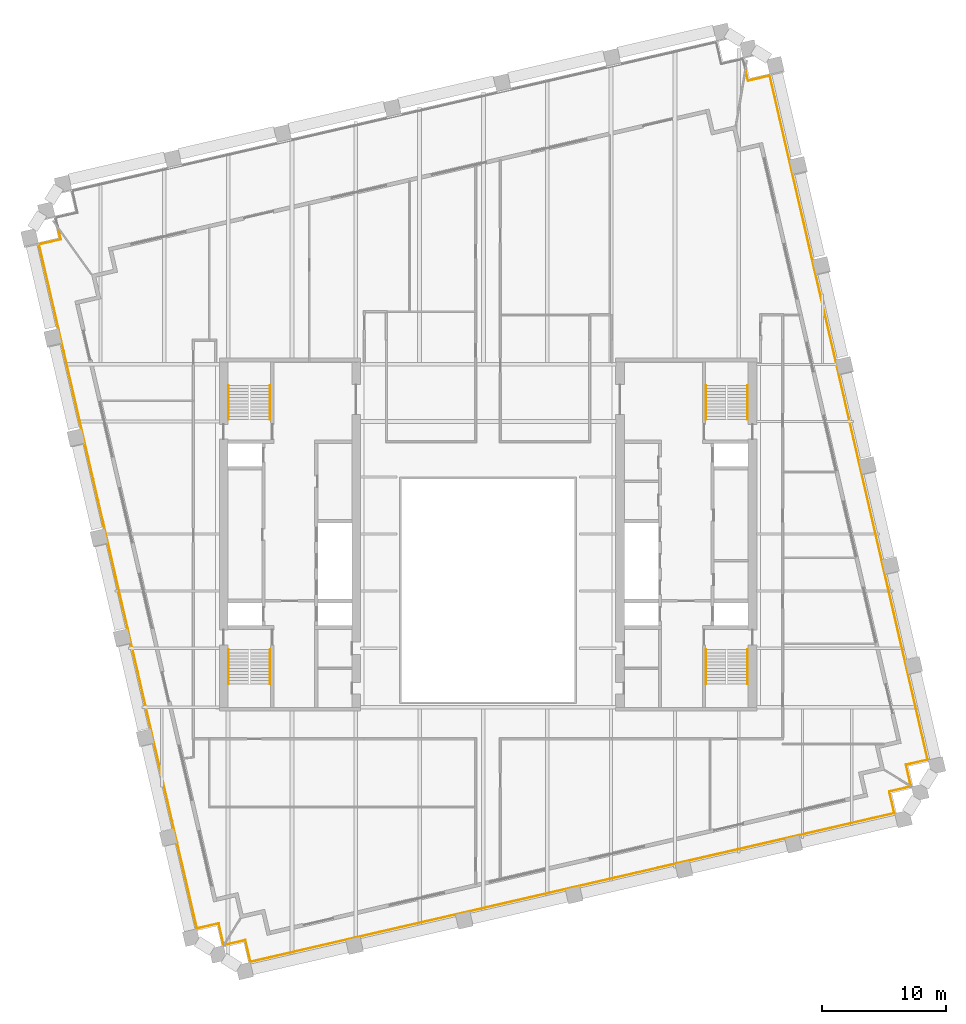
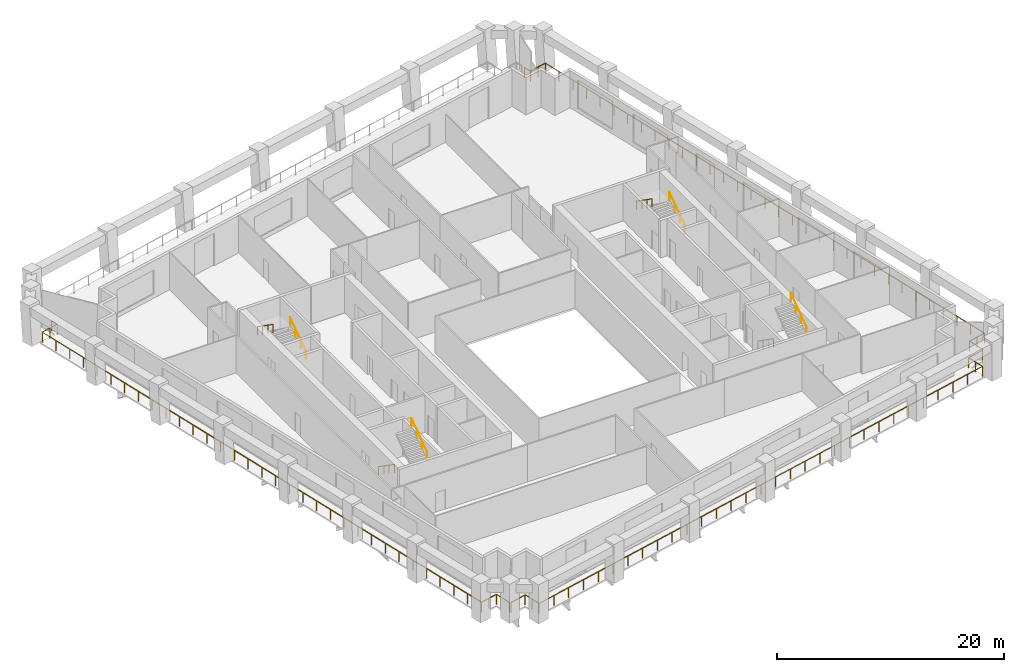
# One storey, part 9 of 10: 11 railings.
"""IFC4 building model written with IfcOpenShell, lengths in metres."""

from ifc_helpers import new_model, si_unit, direction, frame, origin, origin_2d, place, context, subcontext, project, spatial, circle, extrude, material, type_object, element, save


model = new_model("IFC4")

# Units and contexts
model_context = context("Model", 3, precision=1e-05, world=origin(), true_north=direction((0.0, 1.0)))
body_context = subcontext(model_context, "Body", "Model", "MODEL_VIEW")
ifc_project = project(units=[si_unit("LENGTHUNIT", "METRE"), si_unit("AREAUNIT", "SQUARE_METRE"), si_unit("VOLUMEUNIT", "CUBIC_METRE"), si_unit("PLANEANGLEUNIT", "RADIAN"), si_unit("MASSUNIT", "GRAM", prefix="KILO")], contexts=[model_context])

# Site, building, storey
site_placement = place(None, origin())
site = spatial("IfcSite", under=ifc_project, at=site_placement, CompositionType="ELEMENT")
building_placement = place(site_placement, origin())
building = spatial("IfcBuilding", under=site, at=building_placement, Name="Ogive Exchange Tower", CompositionType="ELEMENT")
storey_placement = place(building_placement, frame((0.0, 0.0, 205.199951171875)))
storey = spatial("IfcBuildingStorey", under=building, at=storey_placement, Name="L45", CompositionType="ELEMENT", Elevation=205.199951171875)

# Railings
ifc_material_1 = material(Name="Stainless steel 316", Category="steel")
railing_type_1 = type_object("IfcRailingType", Name="Guard 1100 stainless steel and glass", PredefinedType="GUARDRAIL", material=ifc_material_1)
railing_1_placement = place(storey_placement, frame((34.067138671875, -8.864013671875, -0.050048828125)))
element("IfcRailing", 1, at=railing_1_placement, inside=storey, type_object=railing_type_1, Name="Loggia guard 1", PredefinedType="GUARDRAIL", context=body_context, shape_type="SweptSolid", body=[
    extrude(circle(Radius=0.02392578125, at=origin_2d()), frame((0.0, 0.0, 1.076171875), z_axis=(-0.974364690374, -0.224974332206, 0.0), x_axis=(0.224974332206, -0.974364690374, 0.0)), (0.0, 0.0, 1.0), 1.7080078125),
    extrude(circle(Radius=0.02392578125, at=origin_2d()), frame((-1.664306640625, -0.38427734375, 1.076171875), z_axis=(0.224879318197, -0.974386623598, 0.0), x_axis=(0.974386623598, 0.224879318197, 0.0)), (0.0, 0.0, 1.0), 1.800048828125),
    extrude(circle(Radius=0.02392578125, at=origin_2d()), frame((-1.259521484375, -2.13818359375, 1.076171875), z_axis=(-0.97436998541, -0.224951398156, 0.0), x_axis=(0.224951398156, -0.97436998541, 0.0)), (0.0, 0.0, 1.0), 53.360107421875),
    extrude(circle(Radius=0.02392578125, at=origin_2d()), frame((-53.251953125, -14.1416015625, 1.076171875), z_axis=(-0.224879318197, 0.974386623598, 0.0), x_axis=(-0.974386623598, -0.224879318197, 0.0)), (0.0, 0.0, 1.0), 1.800048828125),
    extrude(circle(Radius=0.02392578125, at=origin_2d()), frame((-53.65673828125, -12.3876953125, 1.076171875), z_axis=(-0.974364690374, -0.224974332206, 0.0), x_axis=(0.224974332206, -0.974364690374, 0.0)), (0.0, 0.0, 1.0), 1.7080078125),
    extrude(circle(Radius=0.02099609375, at=origin_2d()), origin(), (0.0, 0.0, 1.0), 1.052001953125),
    extrude(circle(Radius=0.02099609375, at=origin_2d()), frame((-1.664306640625, -0.38427734375, 0.0)), (0.0, 0.0, 1.0), 1.052001953125),
    extrude(circle(Radius=0.02099609375, at=origin_2d()), frame((-1.4619140625, -1.26123046875, 0.0)), (0.0, 0.0, 1.0), 1.052001953125),
    extrude(circle(Radius=0.02099609375, at=origin_2d()), frame((-1.259521484375, -2.13818359375, 0.0)), (0.0, 0.0, 1.0), 1.052001953125),
    extrude(circle(Radius=0.02099609375, at=origin_2d()), frame((-2.99267578125, -2.538330078125, 0.0)), (0.0, 0.0, 1.0), 1.052001953125),
    extrude(circle(Radius=0.02099609375, at=origin_2d()), frame((-4.7255859375, -2.9384765625, 0.0)), (0.0, 0.0, 1.0), 1.052001953125),
    extrude(circle(Radius=0.02099609375, at=origin_2d()), frame((-6.458740234375, -3.338623046875, 0.0)), (0.0, 0.0, 1.0), 1.052001953125),
    extrude(circle(Radius=0.02099609375, at=origin_2d()), frame((-8.19189453125, -3.738525390625, 0.0)), (0.0, 0.0, 1.0), 1.052001953125),
    extrude(circle(Radius=0.02099609375, at=origin_2d()), frame((-9.9248046875, -4.138671875, 0.0)), (0.0, 0.0, 1.0), 1.052001953125),
    extrude(circle(Radius=0.02099609375, at=origin_2d()), frame((-11.657958984375, -4.538818359375, 0.0)), (0.0, 0.0, 1.0), 1.052001953125),
    extrude(circle(Radius=0.02099609375, at=origin_2d()), frame((-13.39111328125, -4.93896484375, 0.0)), (0.0, 0.0, 1.0), 1.052001953125),
    extrude(circle(Radius=0.02099609375, at=origin_2d()), frame((-15.124267578125, -5.339111328125, 0.0)), (0.0, 0.0, 1.0), 1.052001953125),
    extrude(circle(Radius=0.02099609375, at=origin_2d()), frame((-16.857177734375, -5.7392578125, 0.0)), (0.0, 0.0, 1.0), 1.052001953125),
    extrude(circle(Radius=0.02099609375, at=origin_2d()), frame((-18.59033203125, -6.139404296875, 0.0)), (0.0, 0.0, 1.0), 1.052001953125),
    extrude(circle(Radius=0.02099609375, at=origin_2d()), frame((-20.323486328125, -6.53955078125, 0.0)), (0.0, 0.0, 1.0), 1.052001953125),
    extrude(circle(Radius=0.02099609375, at=origin_2d()), frame((-22.056396484375, -6.939453125, 0.0)), (0.0, 0.0, 1.0), 1.052001953125),
    extrude(circle(Radius=0.02099609375, at=origin_2d()), frame((-23.78955078125, -7.339599609375, 0.0)), (0.0, 0.0, 1.0), 1.052001953125),
    extrude(circle(Radius=0.02099609375, at=origin_2d()), frame((-25.522705078125, -7.73974609375, 0.0)), (0.0, 0.0, 1.0), 1.052001953125),
    extrude(circle(Radius=0.02099609375, at=origin_2d()), frame((-27.255859375, -8.139892578125, 0.0)), (0.0, 0.0, 1.0), 1.052001953125),
    extrude(circle(Radius=0.02099609375, at=origin_2d()), frame((-28.98876953125, -8.5400390625, 0.0)), (0.0, 0.0, 1.0), 1.052001953125),
    extrude(circle(Radius=0.02099609375, at=origin_2d()), frame((-30.721923828125, -8.940185546875, 0.0)), (0.0, 0.0, 1.0), 1.052001953125),
    extrude(circle(Radius=0.02099609375, at=origin_2d()), frame((-32.455078125, -9.34033203125, 0.0)), (0.0, 0.0, 1.0), 1.052001953125),
    extrude(circle(Radius=0.02099609375, at=origin_2d()), frame((-34.18798828125, -9.740234375, 0.0)), (0.0, 0.0, 1.0), 1.052001953125),
    extrude(circle(Radius=0.02099609375, at=origin_2d()), frame((-35.921142578125, -10.140380859375, 0.0)), (0.0, 0.0, 1.0), 1.052001953125),
    extrude(circle(Radius=0.02099609375, at=origin_2d()), frame((-37.654296875, -10.54052734375, 0.0)), (0.0, 0.0, 1.0), 1.052001953125),
    extrude(circle(Radius=0.02099609375, at=origin_2d()), frame((-39.38720703125, -10.940673828125, 0.0)), (0.0, 0.0, 1.0), 1.052001953125),
    extrude(circle(Radius=0.02099609375, at=origin_2d()), frame((-41.120361328125, -11.3408203125, 0.0)), (0.0, 0.0, 1.0), 1.052001953125),
    extrude(circle(Radius=0.02099609375, at=origin_2d()), frame((-42.853515625, -11.740966796875, 0.0)), (0.0, 0.0, 1.0), 1.052001953125),
    extrude(circle(Radius=0.02099609375, at=origin_2d()), frame((-44.58642578125, -12.14111328125, 0.0)), (0.0, 0.0, 1.0), 1.052001953125),
    extrude(circle(Radius=0.02099609375, at=origin_2d()), frame((-46.319580078125, -12.541259765625, 0.0)), (0.0, 0.0, 1.0), 1.052001953125),
    extrude(circle(Radius=0.02099609375, at=origin_2d()), frame((-48.052734375, -12.941162109375, 0.0)), (0.0, 0.0, 1.0), 1.052001953125),
    extrude(circle(Radius=0.02099609375, at=origin_2d()), frame((-49.785888671875, -13.34130859375, 0.0)), (0.0, 0.0, 1.0), 1.052001953125),
    extrude(circle(Radius=0.02099609375, at=origin_2d()), frame((-51.518798828125, -13.741455078125, 0.0)), (0.0, 0.0, 1.0), 1.052001953125),
    extrude(circle(Radius=0.02099609375, at=origin_2d()), frame((-53.251953125, -14.1416015625, 0.0)), (0.0, 0.0, 1.0), 1.052001953125),
    extrude(circle(Radius=0.02099609375, at=origin_2d()), frame((-53.454345703125, -13.2646484375, 0.0)), (0.0, 0.0, 1.0), 1.052001953125),
    extrude(circle(Radius=0.02099609375, at=origin_2d()), frame((-53.65673828125, -12.3876953125, 0.0)), (0.0, 0.0, 1.0), 1.052001953125),
    extrude(circle(Radius=0.02099609375, at=origin_2d()), frame((-55.321044921875, -12.77197265625, 0.0)), (0.0, 0.0, 1.0), 1.052001953125),
])
railing_2_placement = place(storey_placement, frame((-21.364013671875, -21.567138671875, -0.050048828125)))
element("IfcRailing", 2, at=railing_2_placement, inside=storey, type_object=railing_type_1, Name="Loggia guard 2", PredefinedType="GUARDRAIL", context=body_context, shape_type="SweptSolid", body=[
    extrude(circle(Radius=0.02392578125, at=origin_2d()), frame((0.0, 0.0, 1.076171875), z_axis=(-0.224974332206, 0.974364690374, 0.0), x_axis=(-0.974364690374, -0.224974332206, 0.0)), (0.0, 0.0, 1.0), 1.7080078125),
    extrude(circle(Radius=0.02392578125, at=origin_2d()), frame((-0.38427734375, 1.664306640625, 1.076171875), z_axis=(-0.974386623598, -0.224879318197, 0.0), x_axis=(0.224879318197, -0.974386623598, 0.0)), (0.0, 0.0, 1.0), 1.800048828125),
    extrude(circle(Radius=0.02392578125, at=origin_2d()), frame((-2.13818359375, 1.259521484375, 1.076171875), z_axis=(-0.224951665918, 0.974369923592, 0.0), x_axis=(-0.974369923592, -0.224951665918, 0.0)), (0.0, 0.0, 1.0), 56.6875),
    extrude(circle(Radius=0.02392578125, at=origin_2d()), frame((-14.89013671875, 56.494140625, 1.076171875), z_axis=(0.974356896201, 0.225008086135, 0.0), x_axis=(-0.225008086135, 0.974356896201, 0.0)), (0.0, 0.0, 1.0), 1.800048828125),
    extrude(circle(Radius=0.02392578125, at=origin_2d()), frame((-13.13623046875, 56.899169921875, 1.076171875), z_axis=(-0.225090387825, 0.974337886623, 0.0), x_axis=(-0.974337886623, -0.225090387825, 0.0)), (0.0, 0.0, 1.0), 0.772216796875),
    extrude(circle(Radius=0.02099609375, at=origin_2d()), origin(), (0.0, 0.0, 1.0), 1.052001953125),
    extrude(circle(Radius=0.02099609375, at=origin_2d()), frame((-0.38427734375, 1.664306640625, 0.0)), (0.0, 0.0, 1.0), 1.052001953125),
    extrude(circle(Radius=0.02099609375, at=origin_2d()), frame((-1.26123046875, 1.4619140625, 0.0)), (0.0, 0.0, 1.0), 1.052001953125),
    extrude(circle(Radius=0.02099609375, at=origin_2d()), frame((-2.13818359375, 1.259521484375, 0.0)), (0.0, 0.0, 1.0), 1.052001953125),
    extrude(circle(Radius=0.02099609375, at=origin_2d()), frame((-2.53662109375, 2.985595703125, 0.0)), (0.0, 0.0, 1.0), 1.052001953125),
    extrude(circle(Radius=0.02099609375, at=origin_2d()), frame((-2.93505859375, 4.711669921875, 0.0)), (0.0, 0.0, 1.0), 1.052001953125),
    extrude(circle(Radius=0.02099609375, at=origin_2d()), frame((-3.333740234375, 6.437744140625, 0.0)), (0.0, 0.0, 1.0), 1.052001953125),
    extrude(circle(Radius=0.02099609375, at=origin_2d()), frame((-3.732177734375, 8.163818359375, 0.0)), (0.0, 0.0, 1.0), 1.052001953125),
    extrude(circle(Radius=0.02099609375, at=origin_2d()), frame((-4.130615234375, 9.889892578125, 0.0)), (0.0, 0.0, 1.0), 1.052001953125),
    extrude(circle(Radius=0.02099609375, at=origin_2d()), frame((-4.529296875, 11.615966796875, 0.0)), (0.0, 0.0, 1.0), 1.052001953125),
    extrude(circle(Radius=0.02099609375, at=origin_2d()), frame((-4.927734375, 13.342041015625, 0.0)), (0.0, 0.0, 1.0), 1.052001953125),
    extrude(circle(Radius=0.02099609375, at=origin_2d()), frame((-5.326171875, 15.068115234375, 0.0)), (0.0, 0.0, 1.0), 1.052001953125),
    extrude(circle(Radius=0.02099609375, at=origin_2d()), frame((-5.724609375, 16.794189453125, 0.0)), (0.0, 0.0, 1.0), 1.052001953125),
    extrude(circle(Radius=0.02099609375, at=origin_2d()), frame((-6.123046875, 18.520263671875, 0.0)), (0.0, 0.0, 1.0), 1.052001953125),
    extrude(circle(Radius=0.02099609375, at=origin_2d()), frame((-6.521728515625, 20.246337890625, 0.0)), (0.0, 0.0, 1.0), 1.052001953125),
    extrude(circle(Radius=0.02099609375, at=origin_2d()), frame((-6.920166015625, 21.972412109375, 0.0)), (0.0, 0.0, 1.0), 1.052001953125),
    extrude(circle(Radius=0.02099609375, at=origin_2d()), frame((-7.318603515625, 23.698486328125, 0.0)), (0.0, 0.0, 1.0), 1.052001953125),
    extrude(circle(Radius=0.02099609375, at=origin_2d()), frame((-7.71728515625, 25.424560546875, 0.0)), (0.0, 0.0, 1.0), 1.052001953125),
    extrude(circle(Radius=0.02099609375, at=origin_2d()), frame((-8.11572265625, 27.150634765625, 0.0)), (0.0, 0.0, 1.0), 1.052001953125),
    extrude(circle(Radius=0.02099609375, at=origin_2d()), frame((-8.51416015625, 28.876953125, 0.0)), (0.0, 0.0, 1.0), 1.052001953125),
    extrude(circle(Radius=0.02099609375, at=origin_2d()), frame((-8.91259765625, 30.60302734375, 0.0)), (0.0, 0.0, 1.0), 1.052001953125),
    extrude(circle(Radius=0.02099609375, at=origin_2d()), frame((-9.31103515625, 32.3291015625, 0.0)), (0.0, 0.0, 1.0), 1.052001953125),
    extrude(circle(Radius=0.02099609375, at=origin_2d()), frame((-9.709716796875, 34.05517578125, 0.0)), (0.0, 0.0, 1.0), 1.052001953125),
    extrude(circle(Radius=0.02099609375, at=origin_2d()), frame((-10.108154296875, 35.78125, 0.0)), (0.0, 0.0, 1.0), 1.052001953125),
    extrude(circle(Radius=0.02099609375, at=origin_2d()), frame((-10.506591796875, 37.50732421875, 0.0)), (0.0, 0.0, 1.0), 1.052001953125),
    extrude(circle(Radius=0.02099609375, at=origin_2d()), frame((-10.9052734375, 39.2333984375, 0.0)), (0.0, 0.0, 1.0), 1.052001953125),
    extrude(circle(Radius=0.02099609375, at=origin_2d()), frame((-11.3037109375, 40.95947265625, 0.0)), (0.0, 0.0, 1.0), 1.052001953125),
    extrude(circle(Radius=0.02099609375, at=origin_2d()), frame((-11.7021484375, 42.685546875, 0.0)), (0.0, 0.0, 1.0), 1.052001953125),
    extrude(circle(Radius=0.02099609375, at=origin_2d()), frame((-12.1005859375, 44.41162109375, 0.0)), (0.0, 0.0, 1.0), 1.052001953125),
    extrude(circle(Radius=0.02099609375, at=origin_2d()), frame((-12.4990234375, 46.1376953125, 0.0)), (0.0, 0.0, 1.0), 1.052001953125),
    extrude(circle(Radius=0.02099609375, at=origin_2d()), frame((-12.897705078125, 47.86376953125, 0.0)), (0.0, 0.0, 1.0), 1.052001953125),
    extrude(circle(Radius=0.02099609375, at=origin_2d()), frame((-13.296142578125, 49.58984375, 0.0)), (0.0, 0.0, 1.0), 1.052001953125),
    extrude(circle(Radius=0.02099609375, at=origin_2d()), frame((-13.694580078125, 51.31591796875, 0.0)), (0.0, 0.0, 1.0), 1.052001953125),
    extrude(circle(Radius=0.02099609375, at=origin_2d()), frame((-14.09326171875, 53.0419921875, 0.0)), (0.0, 0.0, 1.0), 1.052001953125),
    extrude(circle(Radius=0.02099609375, at=origin_2d()), frame((-14.49169921875, 54.76806640625, 0.0)), (0.0, 0.0, 1.0), 1.052001953125),
    extrude(circle(Radius=0.02099609375, at=origin_2d()), frame((-14.89013671875, 56.494140625, 0.0)), (0.0, 0.0, 1.0), 1.052001953125),
    extrude(circle(Radius=0.02099609375, at=origin_2d()), frame((-14.01318359375, 56.69677734375, 0.0)), (0.0, 0.0, 1.0), 1.052001953125),
    extrude(circle(Radius=0.02099609375, at=origin_2d()), frame((-13.13623046875, 56.899169921875, 0.0)), (0.0, 0.0, 1.0), 1.052001953125),
    extrude(circle(Radius=0.02099609375, at=origin_2d()), frame((-13.31005859375, 57.651611328125, 0.0)), (0.0, 0.0, 1.0), 1.052001953125),
])
railing_3_placement = place(storey_placement, frame((20.826171875, 48.897705078125, -0.050048828125)))
element("IfcRailing", 3, at=railing_3_placement, inside=storey, type_object=railing_type_1, Name="Loggia guard 4", PredefinedType="GUARDRAIL", context=body_context, shape_type="SweptSolid", body=[
    extrude(circle(Radius=0.02392578125, at=origin_2d()), frame((0.0, 0.0, 1.076171875), z_axis=(0.224790234973, -0.974407178884, 0.0), x_axis=(0.974407178884, 0.224790234973, 0.0)), (0.0, 0.0, 1.0), 0.772216796875),
    extrude(circle(Radius=0.02392578125, at=origin_2d()), frame((0.173583984375, -0.75244140625, 1.076171875), z_axis=(0.974356896201, 0.225008086135, 0.0), x_axis=(-0.225008086135, 0.974356896201, 0.0)), (0.0, 0.0, 1.0), 1.800048828125),
    extrude(circle(Radius=0.02392578125, at=origin_2d()), frame((1.927490234375, -0.347412109375, 1.076171875), z_axis=(0.224949777961, -0.97437035946, 0.0), x_axis=(0.97437035946, 0.224949777961, 0.0)), (0.0, 0.0, 1.0), 56.68798828125),
    extrude(circle(Radius=0.02392578125, at=origin_2d()), frame((14.679443359375, -55.58251953125, 1.076171875), z_axis=(-0.974386623598, -0.224879318197, 0.0), x_axis=(0.224879318197, -0.974386623598, 0.0)), (0.0, 0.0, 1.0), 1.800048828125),
    extrude(circle(Radius=0.02392578125, at=origin_2d()), frame((12.925537109375, -55.9873046875, 1.076171875), z_axis=(0.224974332206, -0.974364690374, 0.0), x_axis=(0.974364690374, 0.224974332206, 0.0)), (0.0, 0.0, 1.0), 1.7080078125),
    extrude(circle(Radius=0.02099609375, at=origin_2d()), origin(), (0.0, 0.0, 1.0), 1.052001953125),
    extrude(circle(Radius=0.02099609375, at=origin_2d()), frame((0.173583984375, -0.75244140625, 0.0)), (0.0, 0.0, 1.0), 1.052001953125),
    extrude(circle(Radius=0.02099609375, at=origin_2d()), frame((1.050537109375, -0.5498046875, 0.0)), (0.0, 0.0, 1.0), 1.052001953125),
    extrude(circle(Radius=0.02099609375, at=origin_2d()), frame((1.927490234375, -0.347412109375, 0.0)), (0.0, 0.0, 1.0), 1.052001953125),
    extrude(circle(Radius=0.02099609375, at=origin_2d()), frame((2.325927734375, -2.073486328125, 0.0)), (0.0, 0.0, 1.0), 1.052001953125),
    extrude(circle(Radius=0.02099609375, at=origin_2d()), frame((2.724609375, -3.799560546875, 0.0)), (0.0, 0.0, 1.0), 1.052001953125),
    extrude(circle(Radius=0.02099609375, at=origin_2d()), frame((3.123046875, -5.525634765625, 0.0)), (0.0, 0.0, 1.0), 1.052001953125),
    extrude(circle(Radius=0.02099609375, at=origin_2d()), frame((3.521484375, -7.251708984375, 0.0)), (0.0, 0.0, 1.0), 1.052001953125),
    extrude(circle(Radius=0.02099609375, at=origin_2d()), frame((3.919921875, -8.977783203125, 0.0)), (0.0, 0.0, 1.0), 1.052001953125),
    extrude(circle(Radius=0.02099609375, at=origin_2d()), frame((4.318359375, -10.7041015625, 0.0)), (0.0, 0.0, 1.0), 1.052001953125),
    extrude(circle(Radius=0.02099609375, at=origin_2d()), frame((4.717041015625, -12.43017578125, 0.0)), (0.0, 0.0, 1.0), 1.052001953125),
    extrude(circle(Radius=0.02099609375, at=origin_2d()), frame((5.115478515625, -14.15625, 0.0)), (0.0, 0.0, 1.0), 1.052001953125),
    extrude(circle(Radius=0.02099609375, at=origin_2d()), frame((5.513916015625, -15.88232421875, 0.0)), (0.0, 0.0, 1.0), 1.052001953125),
    extrude(circle(Radius=0.02099609375, at=origin_2d()), frame((5.91259765625, -17.6083984375, 0.0)), (0.0, 0.0, 1.0), 1.052001953125),
    extrude(circle(Radius=0.02099609375, at=origin_2d()), frame((6.31103515625, -19.33447265625, 0.0)), (0.0, 0.0, 1.0), 1.052001953125),
    extrude(circle(Radius=0.02099609375, at=origin_2d()), frame((6.70947265625, -21.060546875, 0.0)), (0.0, 0.0, 1.0), 1.052001953125),
    extrude(circle(Radius=0.02099609375, at=origin_2d()), frame((7.10791015625, -22.78662109375, 0.0)), (0.0, 0.0, 1.0), 1.052001953125),
    extrude(circle(Radius=0.02099609375, at=origin_2d()), frame((7.50634765625, -24.5126953125, 0.0)), (0.0, 0.0, 1.0), 1.052001953125),
    extrude(circle(Radius=0.02099609375, at=origin_2d()), frame((7.905029296875, -26.23876953125, 0.0)), (0.0, 0.0, 1.0), 1.052001953125),
    extrude(circle(Radius=0.02099609375, at=origin_2d()), frame((8.303466796875, -27.96484375, 0.0)), (0.0, 0.0, 1.0), 1.052001953125),
    extrude(circle(Radius=0.02099609375, at=origin_2d()), frame((8.701904296875, -29.691162109375, 0.0)), (0.0, 0.0, 1.0), 1.052001953125),
    extrude(circle(Radius=0.02099609375, at=origin_2d()), frame((9.1005859375, -31.417236328125, 0.0)), (0.0, 0.0, 1.0), 1.052001953125),
    extrude(circle(Radius=0.02099609375, at=origin_2d()), frame((9.4990234375, -33.143310546875, 0.0)), (0.0, 0.0, 1.0), 1.052001953125),
    extrude(circle(Radius=0.02099609375, at=origin_2d()), frame((9.8974609375, -34.869384765625, 0.0)), (0.0, 0.0, 1.0), 1.052001953125),
    extrude(circle(Radius=0.02099609375, at=origin_2d()), frame((10.2958984375, -36.595458984375, 0.0)), (0.0, 0.0, 1.0), 1.052001953125),
    extrude(circle(Radius=0.02099609375, at=origin_2d()), frame((10.6943359375, -38.321533203125, 0.0)), (0.0, 0.0, 1.0), 1.052001953125),
    extrude(circle(Radius=0.02099609375, at=origin_2d()), frame((11.093017578125, -40.047607421875, 0.0)), (0.0, 0.0, 1.0), 1.052001953125),
    extrude(circle(Radius=0.02099609375, at=origin_2d()), frame((11.491455078125, -41.773681640625, 0.0)), (0.0, 0.0, 1.0), 1.052001953125),
    extrude(circle(Radius=0.02099609375, at=origin_2d()), frame((11.889892578125, -43.499755859375, 0.0)), (0.0, 0.0, 1.0), 1.052001953125),
    extrude(circle(Radius=0.02099609375, at=origin_2d()), frame((12.28857421875, -45.225830078125, 0.0)), (0.0, 0.0, 1.0), 1.052001953125),
    extrude(circle(Radius=0.02099609375, at=origin_2d()), frame((12.68701171875, -46.9521484375, 0.0)), (0.0, 0.0, 1.0), 1.052001953125),
    extrude(circle(Radius=0.02099609375, at=origin_2d()), frame((13.08544921875, -48.67822265625, 0.0)), (0.0, 0.0, 1.0), 1.052001953125),
    extrude(circle(Radius=0.02099609375, at=origin_2d()), frame((13.48388671875, -50.404296875, 0.0)), (0.0, 0.0, 1.0), 1.052001953125),
    extrude(circle(Radius=0.02099609375, at=origin_2d()), frame((13.88232421875, -52.13037109375, 0.0)), (0.0, 0.0, 1.0), 1.052001953125),
    extrude(circle(Radius=0.02099609375, at=origin_2d()), frame((14.281005859375, -53.8564453125, 0.0)), (0.0, 0.0, 1.0), 1.052001953125),
    extrude(circle(Radius=0.02099609375, at=origin_2d()), frame((14.679443359375, -55.58251953125, 0.0)), (0.0, 0.0, 1.0), 1.052001953125),
    extrude(circle(Radius=0.02099609375, at=origin_2d()), frame((13.802490234375, -55.784912109375, 0.0)), (0.0, 0.0, 1.0), 1.052001953125),
    extrude(circle(Radius=0.02099609375, at=origin_2d()), frame((12.925537109375, -55.9873046875, 0.0)), (0.0, 0.0, 1.0), 1.052001953125),
    extrude(circle(Radius=0.02099609375, at=origin_2d()), frame((13.309814453125, -57.651611328125, 0.0)), (0.0, 0.0, 1.0), 1.052001953125),
])
ifc_material_2 = material(Name="Stainless steel", Category="steel")
railing_type_2 = type_object("IfcRailingType", Name="Stair handrail 900", PredefinedType="HANDRAIL", material=ifc_material_2)
railing_4_placement = place(storey_placement, frame((-20.949951171875, 2.199951171875, 0.175048828125)))
element("IfcRailing", 4, at=railing_4_placement, inside=storey, type_object=railing_type_2, Name="L45 ST1 stair handrail 1", PredefinedType="HANDRAIL", context=body_context, shape_type="SweptSolid", body=[
    extrude(circle(Radius=0.02392578125, at=origin_2d()), frame((0.0, 0.0, 0.8759765625), z_axis=(0.0, -0.819225086817, 0.573472106672), x_axis=(1.0, 0.0, 0.0)), (0.0, 0.0, 1.0), 3.35693359375),
    extrude(circle(Radius=0.02099609375, at=origin_2d()), origin(), (0.0, 0.0, 1.0), 0.851806640625),
    extrude(circle(Radius=0.02099609375, at=origin_2d()), frame((0.0, -0.916748046875, 0.6416015625)), (0.0, 0.0, 1.0), 0.851806640625),
    extrude(circle(Radius=0.02099609375, at=origin_2d()), frame((0.0, -1.833251953125, 1.283447265625)), (0.0, 0.0, 1.0), 0.851806640625),
    extrude(circle(Radius=0.02099609375, at=origin_2d()), frame((0.0, -2.75, 1.925048828125)), (0.0, 0.0, 1.0), 0.851806640625),
])
railing_5_placement = place(storey_placement, frame((-17.60009765625, -0.550048828125, 2.275146484375)))
element("IfcRailing", 5, at=railing_5_placement, inside=storey, type_object=railing_type_2, Name="L45 ST1 stair handrail 2", PredefinedType="HANDRAIL", context=body_context, shape_type="SweptSolid", body=[
    extrude(circle(Radius=0.02392578125, at=origin_2d()), frame((0.0, 0.0, 0.8759765625), z_axis=(0.0, 0.819259255306, 0.573423292687), x_axis=(-1.0, 0.0, 0.0)), (0.0, 0.0, 1.0), 3.356689453125),
    extrude(circle(Radius=0.02099609375, at=origin_2d()), origin(), (0.0, 0.0, 1.0), 0.851806640625),
    extrude(circle(Radius=0.02099609375, at=origin_2d()), frame((0.0, 0.916748046875, 0.6416015625)), (0.0, 0.0, 1.0), 0.851806640625),
    extrude(circle(Radius=0.02099609375, at=origin_2d()), frame((0.0, 1.833251953125, 1.283203125)), (0.0, 0.0, 1.0), 0.851806640625),
    extrude(circle(Radius=0.02099609375, at=origin_2d()), frame((0.0, 2.75, 1.9248046875)), (0.0, 0.0, 1.0), 0.851806640625),
])
railing_6_placement = place(storey_placement, frame((-17.60009765625, 20.800048828125, 0.175048828125)))
element("IfcRailing", 6, at=railing_6_placement, inside=storey, type_object=railing_type_2, Name="L45 ST2 stair handrail 1", PredefinedType="HANDRAIL", context=body_context, shape_type="SweptSolid", body=[
    extrude(circle(Radius=0.02392578125, at=origin_2d()), frame((0.0, 0.0, 0.8759765625), z_axis=(0.0, 0.819225086817, 0.573472106672), x_axis=(-1.0, 0.0, 0.0)), (0.0, 0.0, 1.0), 3.35693359375),
    extrude(circle(Radius=0.02099609375, at=origin_2d()), origin(), (0.0, 0.0, 1.0), 0.851806640625),
    extrude(circle(Radius=0.02099609375, at=origin_2d()), frame((0.0, 0.916748046875, 0.6416015625)), (0.0, 0.0, 1.0), 0.851806640625),
    extrude(circle(Radius=0.02099609375, at=origin_2d()), frame((0.0, 1.833251953125, 1.283447265625)), (0.0, 0.0, 1.0), 0.851806640625),
    extrude(circle(Radius=0.02099609375, at=origin_2d()), frame((0.0, 2.75, 1.925048828125)), (0.0, 0.0, 1.0), 0.851806640625),
])
railing_7_placement = place(storey_placement, frame((-20.949951171875, 23.550048828125, 2.275146484375)))
element("IfcRailing", 7, at=railing_7_placement, inside=storey, type_object=railing_type_2, Name="L45 ST2 stair handrail 2", PredefinedType="HANDRAIL", context=body_context, shape_type="SweptSolid", body=[
    extrude(circle(Radius=0.02392578125, at=origin_2d()), frame((0.0, 0.0, 0.8759765625), z_axis=(0.0, -0.819259255306, 0.573423292687), x_axis=(1.0, 0.0, 0.0)), (0.0, 0.0, 1.0), 3.356689453125),
    extrude(circle(Radius=0.02099609375, at=origin_2d()), origin(), (0.0, 0.0, 1.0), 0.851806640625),
    extrude(circle(Radius=0.02099609375, at=origin_2d()), frame((0.0, -0.916748046875, 0.6416015625)), (0.0, 0.0, 1.0), 0.851806640625),
    extrude(circle(Radius=0.02099609375, at=origin_2d()), frame((0.0, -1.833251953125, 1.283203125)), (0.0, 0.0, 1.0), 0.851806640625),
    extrude(circle(Radius=0.02099609375, at=origin_2d()), frame((0.0, -2.75, 1.9248046875)), (0.0, 0.0, 1.0), 0.851806640625),
])
railing_8_placement = place(storey_placement, frame((17.60009765625, 2.199951171875, 0.175048828125)))
element("IfcRailing", 8, at=railing_8_placement, inside=storey, type_object=railing_type_2, Name="L45 ST3 stair handrail 1", PredefinedType="HANDRAIL", context=body_context, shape_type="SweptSolid", body=[
    extrude(circle(Radius=0.02392578125, at=origin_2d()), frame((0.0, 0.0, 0.8759765625), z_axis=(0.0, -0.819225086817, 0.573472106672), x_axis=(1.0, 0.0, 0.0)), (0.0, 0.0, 1.0), 3.35693359375),
    extrude(circle(Radius=0.02099609375, at=origin_2d()), origin(), (0.0, 0.0, 1.0), 0.851806640625),
    extrude(circle(Radius=0.02099609375, at=origin_2d()), frame((0.0, -0.916748046875, 0.6416015625)), (0.0, 0.0, 1.0), 0.851806640625),
    extrude(circle(Radius=0.02099609375, at=origin_2d()), frame((0.0, -1.833251953125, 1.283447265625)), (0.0, 0.0, 1.0), 0.851806640625),
    extrude(circle(Radius=0.02099609375, at=origin_2d()), frame((0.0, -2.75, 1.925048828125)), (0.0, 0.0, 1.0), 0.851806640625),
])
railing_9_placement = place(storey_placement, frame((20.949951171875, -0.550048828125, 2.275146484375)))
element("IfcRailing", 9, at=railing_9_placement, inside=storey, type_object=railing_type_2, Name="L45 ST3 stair handrail 2", PredefinedType="HANDRAIL", context=body_context, shape_type="SweptSolid", body=[
    extrude(circle(Radius=0.02392578125, at=origin_2d()), frame((0.0, 0.0, 0.8759765625), z_axis=(0.0, 0.819259255306, 0.573423292687), x_axis=(-1.0, 0.0, 0.0)), (0.0, 0.0, 1.0), 3.356689453125),
    extrude(circle(Radius=0.02099609375, at=origin_2d()), origin(), (0.0, 0.0, 1.0), 0.851806640625),
    extrude(circle(Radius=0.02099609375, at=origin_2d()), frame((0.0, 0.916748046875, 0.6416015625)), (0.0, 0.0, 1.0), 0.851806640625),
    extrude(circle(Radius=0.02099609375, at=origin_2d()), frame((0.0, 1.833251953125, 1.283203125)), (0.0, 0.0, 1.0), 0.851806640625),
    extrude(circle(Radius=0.02099609375, at=origin_2d()), frame((0.0, 2.75, 1.9248046875)), (0.0, 0.0, 1.0), 0.851806640625),
])
railing_10_placement = place(storey_placement, frame((20.949951171875, 20.800048828125, 0.175048828125)))
element("IfcRailing", 10, at=railing_10_placement, inside=storey, type_object=railing_type_2, Name="L45 ST4 stair handrail 1", PredefinedType="HANDRAIL", context=body_context, shape_type="SweptSolid", body=[
    extrude(circle(Radius=0.02392578125, at=origin_2d()), frame((0.0, 0.0, 0.8759765625), z_axis=(0.0, 0.819225086817, 0.573472106672), x_axis=(-1.0, 0.0, 0.0)), (0.0, 0.0, 1.0), 3.35693359375),
    extrude(circle(Radius=0.02099609375, at=origin_2d()), origin(), (0.0, 0.0, 1.0), 0.851806640625),
    extrude(circle(Radius=0.02099609375, at=origin_2d()), frame((0.0, 0.916748046875, 0.6416015625)), (0.0, 0.0, 1.0), 0.851806640625),
    extrude(circle(Radius=0.02099609375, at=origin_2d()), frame((0.0, 1.833251953125, 1.283447265625)), (0.0, 0.0, 1.0), 0.851806640625),
    extrude(circle(Radius=0.02099609375, at=origin_2d()), frame((0.0, 2.75, 1.925048828125)), (0.0, 0.0, 1.0), 0.851806640625),
])
railing_11_placement = place(storey_placement, frame((17.60009765625, 23.550048828125, 2.275146484375)))
element("IfcRailing", 11, at=railing_11_placement, inside=storey, type_object=railing_type_2, Name="L45 ST4 stair handrail 2", PredefinedType="HANDRAIL", context=body_context, shape_type="SweptSolid", body=[
    extrude(circle(Radius=0.02392578125, at=origin_2d()), frame((0.0, 0.0, 0.8759765625), z_axis=(0.0, -0.819259255306, 0.573423292687), x_axis=(1.0, 0.0, 0.0)), (0.0, 0.0, 1.0), 3.356689453125),
    extrude(circle(Radius=0.02099609375, at=origin_2d()), origin(), (0.0, 0.0, 1.0), 0.851806640625),
    extrude(circle(Radius=0.02099609375, at=origin_2d()), frame((0.0, -0.916748046875, 0.6416015625)), (0.0, 0.0, 1.0), 0.851806640625),
    extrude(circle(Radius=0.02099609375, at=origin_2d()), frame((0.0, -1.833251953125, 1.283203125)), (0.0, 0.0, 1.0), 0.851806640625),
    extrude(circle(Radius=0.02099609375, at=origin_2d()), frame((0.0, -2.75, 1.9248046875)), (0.0, 0.0, 1.0), 0.851806640625),
])

save(model, "model.ifc")
